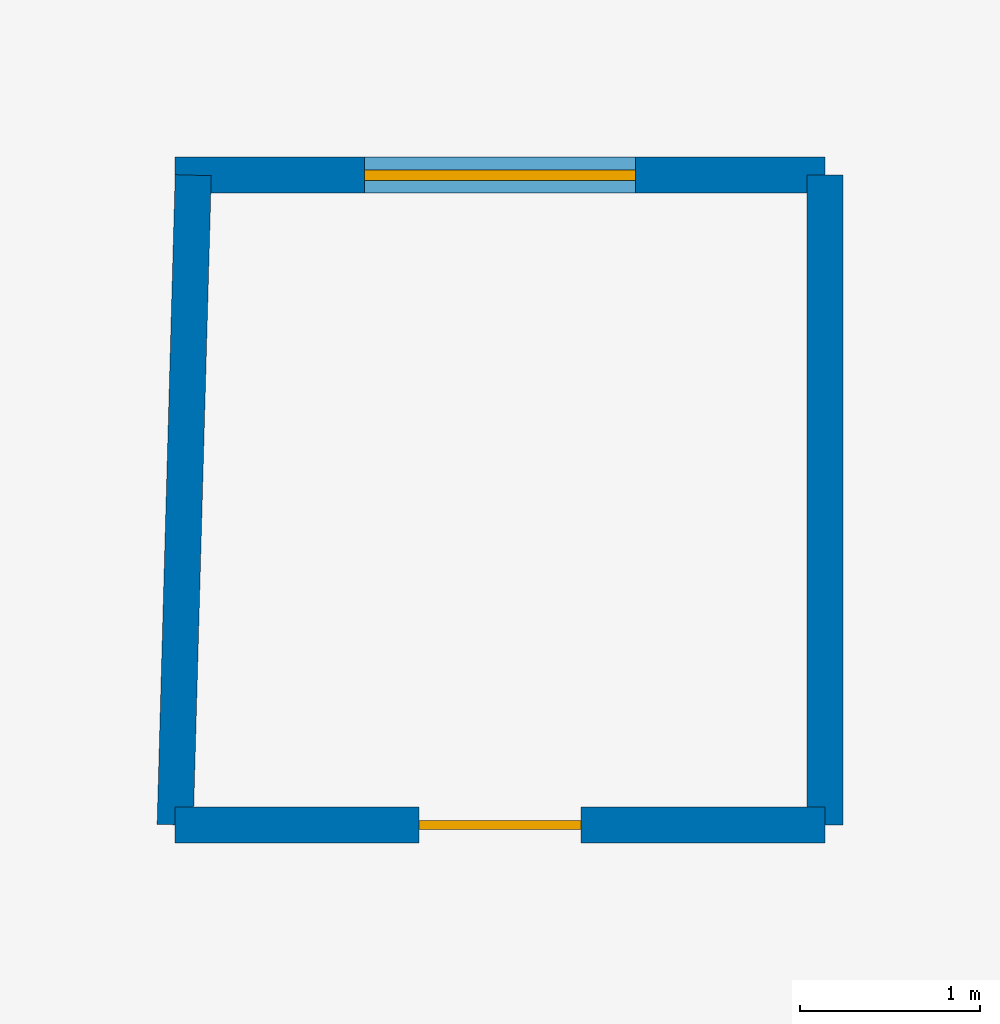
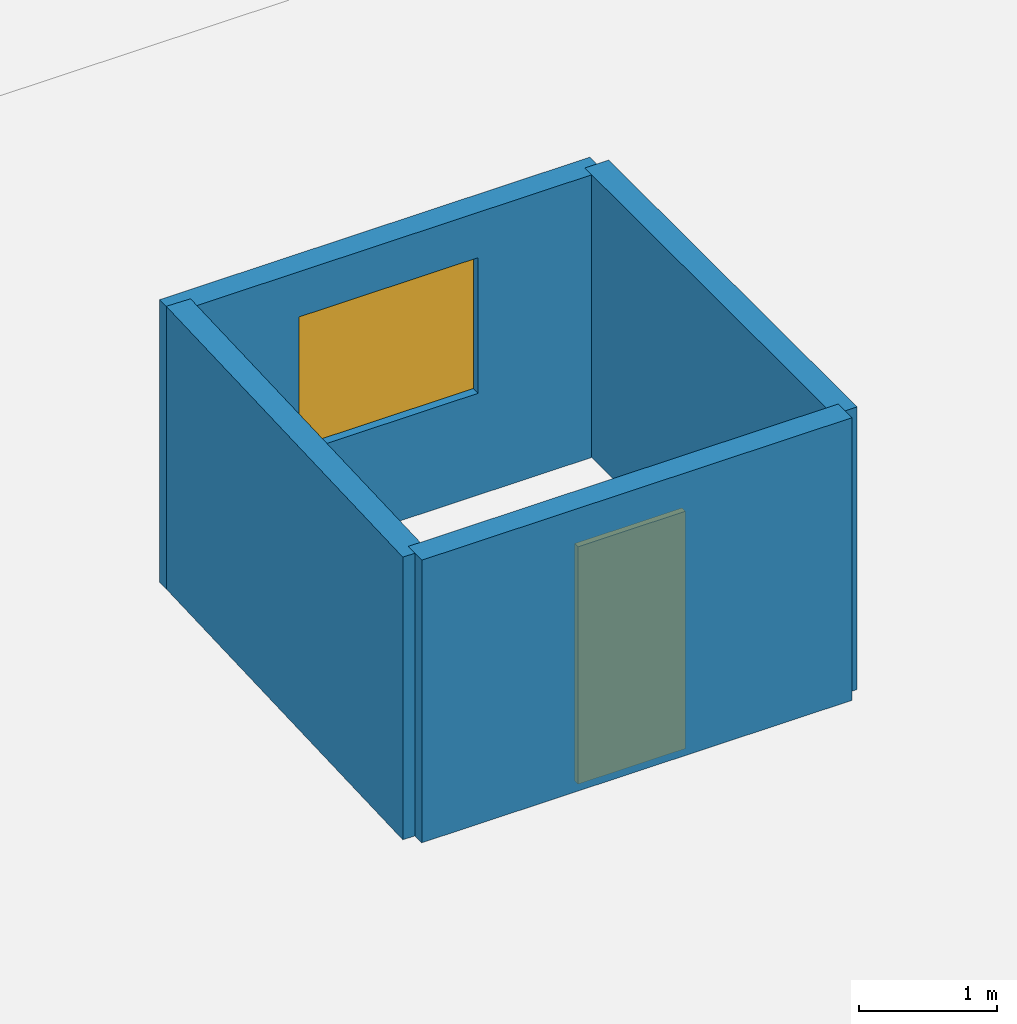
# One storey, part 48 of 67: 4 walls, 1 door, 1 window, 2 openings.
"""IFC4 building model written with IfcOpenShell, lengths in metres."""

from ifc_helpers import new_model, si_unit, direction, frame, frame_2d, origin, place, context, subcontext, project, spatial, rectangle, extrude, material, layer, layer_set, type_object, element, fill, save


model = new_model("IFC4")

# Units and contexts
model_context = context("Model", 3, precision=1e-05, world=origin(), true_north=direction((0.0, 1.0)))
body_context = subcontext(model_context, "Body", "Model", "MODEL_VIEW")
ifc_project = project(units=[si_unit("LENGTHUNIT", "METRE"), si_unit("AREAUNIT", "SQUARE_METRE"), si_unit("VOLUMEUNIT", "CUBIC_METRE"), si_unit("PLANEANGLEUNIT", "RADIAN"), si_unit("MASSUNIT", "GRAM", prefix="KILO")], contexts=[model_context])

# Site, building, storey
site_placement = place(None, origin())
site = spatial("IfcSite", under=ifc_project, at=site_placement, CompositionType="ELEMENT")
building_placement = place(site_placement, origin())
building = spatial("IfcBuilding", under=site, at=building_placement, Name="Rain Tree Exposition and Congress Centre", CompositionType="ELEMENT")
storey_placement = place(building_placement, frame((0.0, 0.0, -3.0)))
storey = spatial("IfcBuildingStorey", under=building, at=storey_placement, Name="B1", CompositionType="ELEMENT", Elevation=-3.0)

# Wall, opening, door
ifc_material_1 = material(Name="Concrete C40/50", Category="concrete")
ifc_layer = layer(ifc_material_1, 0.199951171875)
ifc_layer_set = layer_set([ifc_layer], Name="Concrete C40/50")
wall_type = type_object("IfcWallType", Name="Guard house wall 200", PredefinedType="SOLIDWALL", material=ifc_layer_set)
wall_1_placement = place(storey_placement, frame((256.0, 276.0, 0.0), z_axis=(0.0, 0.0, 1.0), x_axis=(1.0, 0.0, 0.0)))
wall_1 = element("IfcWall", 1, at=wall_1_placement, inside=storey, type_object=wall_type, Name="logistics/wall/B1/31", PredefinedType="SOLIDWALL", context=body_context, shape_type="SweptSolid", body=[
    extrude(rectangle(XDim=3.60009765625, YDim=0.199951171875, at=frame_2d((1.800048828125, 0.0))), origin(), (0.0, 0.0, 1.0), 2.5),
])
opening_1_placement = place(wall_1_placement, frame((1.35009765625, 0.0, 0.0)))
opening_1 = element("IfcOpeningElement", 2, at=opening_1_placement, cuts=wall_1, Name="Opening DS802", PredefinedType="OPENING", context=body_context, shape_type="SweptSolid", body=[
    extrude(rectangle(XDim=0.89990234375, YDim=2.10009765625, at=frame_2d((0.449951171875, 1.050048828125))), frame((0.0, 0.10009765625, 0.0), z_axis=(0.0, -1.0, 0.0), x_axis=(1.0, 0.0, 0.0)), (0.0, 0.0, 1.0), 0.199951171875),
])
ifc_material_2 = material(Name="Hollow metal")
door_type = type_object("IfcDoorType", Name="Guard house door 900x2100", OperationType="NOTDEFINED", PredefinedType="DOOR", material=ifc_material_2)
door_placement = place(opening_1_placement, origin())
door = element("IfcDoor", 3, at=door_placement, inside=storey, type_object=door_type, Name="DS802", OperationType="SINGLE_SWING_LEFT", OverallHeight=2.10009765625, OverallWidth=0.89990234375, PredefinedType="DOOR", context=body_context, shape_type="SweptSolid", body=[
    extrude(rectangle(XDim=0.89990234375, YDim=2.10009765625, at=frame_2d((0.449951171875, 1.050048828125))), frame((0.0, 0.02490234375, 0.0), z_axis=(0.0, -1.0, 0.0), x_axis=(1.0, 0.0, 0.0)), (0.0, 0.0, 1.0), 0.050048828125),
])
fill(opening_1, door)

# Wall
wall_2_placement = place(storey_placement, frame((259.60009765625, 276.0, 0.0), z_axis=(0.0, 0.0, 1.0), x_axis=(0.0, 1.0, 0.0)))
element("IfcWall", 4, at=wall_2_placement, inside=storey, type_object=wall_type, Name="logistics/wall/B1/32", PredefinedType="SOLIDWALL", context=body_context, shape_type="SweptSolid", body=[
    extrude(rectangle(XDim=3.60009765625, YDim=0.199951171875, at=frame_2d((1.800048828125, 0.0))), origin(), (0.0, 0.0, 1.0), 2.5),
])

# Wall, opening, window
wall_3_placement = place(storey_placement, frame((259.60009765625, 279.60009765625, 0.0), z_axis=(0.0, 0.0, 1.0), x_axis=(-1.0, 0.0, 0.0)))
wall_3 = element("IfcWall", 5, at=wall_3_placement, inside=storey, type_object=wall_type, Name="logistics/wall/B1/33", PredefinedType="SOLIDWALL", context=body_context, shape_type="SweptSolid", body=[
    extrude(rectangle(XDim=3.60009765625, YDim=0.199951171875, at=frame_2d((1.800048828125, 0.0))), origin(), (0.0, 0.0, 1.0), 2.5),
])
opening_2_placement = place(wall_3_placement, frame((1.050048828125, 0.0, 0.89990234375)))
opening_2 = element("IfcOpeningElement", 6, at=opening_2_placement, cuts=wall_3, Name="Opening WS81", PredefinedType="OPENING", context=body_context, shape_type="SweptSolid", body=[
    extrude(rectangle(XDim=1.5, YDim=1.199951171875, at=frame_2d((0.75, 0.60009765625))), frame((0.0, 0.10009765625, 0.0), z_axis=(0.0, -1.0, 0.0), x_axis=(1.0, 0.0, 0.0)), (0.0, 0.0, 1.0), 0.199951171875),
])
ifc_material_3 = material(Name="Aluminium frame with double glazing", Category="aluminium")
window_type = type_object("IfcWindowType", Name="Guard house window 1500x1200", PartitioningType="SINGLE_PANEL", PredefinedType="WINDOW", material=ifc_material_3)
window_placement = place(opening_2_placement, origin())
window = element("IfcWindow", 7, at=window_placement, inside=storey, type_object=window_type, Name="WS81", OverallHeight=1.199951171875, OverallWidth=1.5, PartitioningType="SINGLE_PANEL", PredefinedType="WINDOW", context=body_context, shape_type="SweptSolid", body=[
    extrude(rectangle(XDim=1.5, YDim=1.199951171875, at=frame_2d((0.75, 0.60009765625))), frame((0.0, 0.030029296875, 0.0), z_axis=(0.0, -1.0, 0.0), x_axis=(1.0, 0.0, 0.0)), (0.0, 0.0, 1.0), 0.06005859375),
])
fill(opening_2, window)

# Wall
wall_4_placement = place(storey_placement, frame((256.10009765625, 279.60009765625, 0.0), z_axis=(0.0, 0.0, 1.0), x_axis=(-0.027793409217, -0.999613688584, 0.0)))
element("IfcWall", 8, at=wall_4_placement, inside=storey, type_object=wall_type, Name="logistics/wall/B1/34", PredefinedType="SOLIDWALL", context=body_context, shape_type="SweptSolid", body=[
    extrude(rectangle(XDim=3.6015625, YDim=0.199951171875, at=frame_2d((1.80078125, 0.0))), origin(), (0.0, 0.0, 1.0), 2.5),
])

save(model, "model.ifc")
